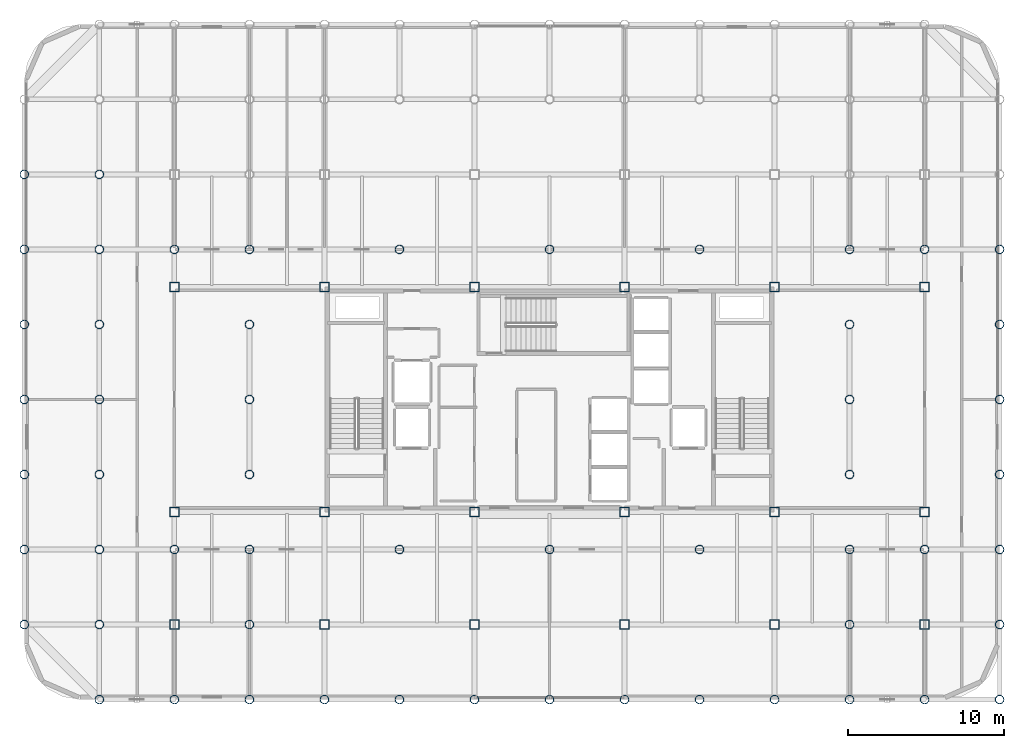
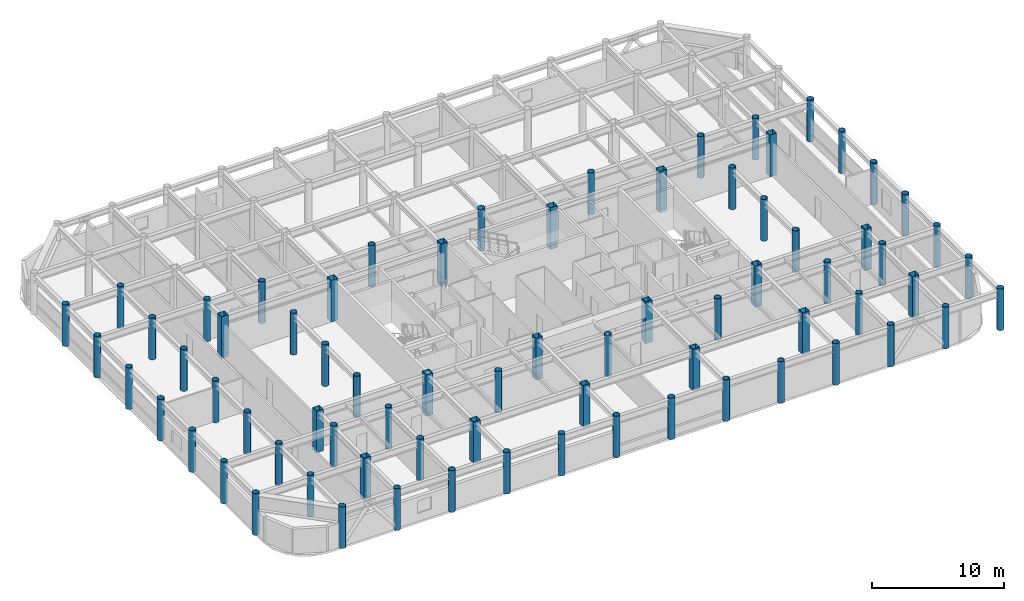
# One storey, part 1 of 21: 73 columns.
"""IFC4 building model written with IfcOpenShell, lengths in metres."""

from ifc_helpers import new_model, si_unit, direction, frame, origin, origin_2d, place, context, subcontext, project, spatial, hollow_rectangle, hollow_circle, extrude, material, material_profile, profile_set, type_object, element, save


model = new_model("IFC4")

# Units and contexts
model_context = context("Model", 3, precision=1e-05, world=origin(), true_north=direction((0.0, 1.0)))
body_context = subcontext(model_context, "Body", "Model", "MODEL_VIEW")
ifc_project = project(units=[si_unit("LENGTHUNIT", "METRE"), si_unit("AREAUNIT", "SQUARE_METRE"), si_unit("VOLUMEUNIT", "CUBIC_METRE"), si_unit("PLANEANGLEUNIT", "RADIAN"), si_unit("MASSUNIT", "GRAM", prefix="KILO")], contexts=[model_context])

# Site, building, storey
site_placement = place(None, origin())
site = spatial("IfcSite", under=ifc_project, at=site_placement, CompositionType="ELEMENT")
building_placement = place(site_placement, origin())
building = spatial("IfcBuilding", under=site, at=building_placement, Name="Kallvorn Hotel Tower", CompositionType="ELEMENT")
storey_placement = place(building_placement, frame((0.0, 0.0, 268.5)))
storey = spatial("IfcBuildingStorey", under=building, at=storey_placement, Name="L67", CompositionType="ELEMENT", Elevation=268.5)

# Columns
ifc_material_1 = material(Name="Structural steel S355J2H", Category="steel")
ifc_material_profile_1 = material_profile(ifc_material_1, hollow_circle(Radius=0.279541015625, WallThickness=0.02490234375, at=origin_2d()), Name="CHS 559x25")
ifc_profile_set_1 = profile_set([ifc_material_profile_1], Name="Structural steel S355J2H")
column_type_1 = type_object("IfcColumnType", Name="COL_CHS_559", PredefinedType="COLUMN", material=ifc_profile_set_1)
for number, where, z_axis, x_axis, name in (
    (1, (-33.60009765625, -14.39990234375, 0.0), (0.0, 0.0, 1.0), (1.0, 0.0, 0.0), "L67 Exoskeleton Column EC01"),
    (2, (-33.60009765625, -9.60009765625, 0.0), (0.0, 0.0, 1.0), (1.0, 0.0, 0.0), "L67 Exoskeleton Column EC02"),
    (3, (-33.60009765625, -4.800048828125, 0.0), (0.0, 0.0, 1.0), (1.0, 0.0, 0.0), "L67 Exoskeleton Column EC03"),
    (4, (-33.60009765625, 0.0, 0.0), (0.0, 0.0, 1.0), (1.0, 0.0, 0.0), "L67 Exoskeleton Column EC04"),
    (5, (-33.60009765625, 4.800048828125, 0.0), (0.0, 0.0, 1.0), (1.0, 0.0, 0.0), "L67 Exoskeleton Column EC05"),
    (6, (-33.60009765625, 9.60009765625, 0.0), (0.0, 0.0, 1.0), (1.0, 0.0, 0.0), "L67 Exoskeleton Column EC06"),
    (7, (-33.60009765625, 14.39990234375, 0.0), (0.0, 0.0, 1.0), (1.0, 0.0, 0.0), "L67 Exoskeleton Column EC07"),
    (8, (-28.800048828125, -19.199951171875, 0.0), (0.0, 0.0, 1.0), (1.0, 0.0, 0.0), "L67 Exoskeleton Column EC09"),
    (9, (-28.800048828125, -14.39990234375, 0.0), (0.0, 0.0, 1.0), (1.0, 0.0, 0.0), "L67 Exoskeleton Column EC10"),
    (10, (-28.800048828125, -9.60009765625, 0.0), (0.0, 0.0, 1.0), (1.0, 0.0, 0.0), "L67 Exoskeleton Column EC11"),
    (11, (-28.800048828125, -4.800048828125, 0.0), (0.0, 0.0, 1.0), (1.0, 0.0, 0.0), "L67 Exoskeleton Column EC12"),
    (12, (-28.800048828125, 0.0, 0.0), (0.0, 0.0, 1.0), (1.0, 0.0, 0.0), "L67 Exoskeleton Column EC13"),
    (13, (-28.800048828125, 4.800048828125, 0.0), (0.0, 0.0, 1.0), (1.0, 0.0, 0.0), "L67 Exoskeleton Column EC14"),
    (14, (-28.800048828125, 9.60009765625, 0.0), (0.0, 0.0, 1.0), (1.0, 0.0, 0.0), "L67 Exoskeleton Column EC15"),
    (15, (-28.800048828125, 14.39990234375, 0.0), (0.0, 0.0, 1.0), (1.0, 0.0, 0.0), "L67 Exoskeleton Column EC16"),
    (16, (-24.0, -19.199951171875, 0.0), (0.0, 0.0, 1.0), (1.0, 0.0, 0.0), "L67 Exoskeleton Column EC19"),
    (17, (-24.0, -9.60009765625, 0.0), (0.0, 0.0, 1.0), (1.0, 0.0, 0.0), "L67 Exoskeleton Column EC20"),
    (18, (-24.0, 9.60009765625, 0.0), (0.0, 0.0, 1.0), (1.0, 0.0, 0.0), "L67 Exoskeleton Column EC21"),
    (19, (-19.199951171875, -19.199951171875, 0.0), (0.0, 0.0, 1.0), (1.0, 0.0, 0.0), "L67 Exoskeleton Column EC24"),
    (20, (-19.199951171875, -14.39990234375, 0.0), (0.0, 0.0, 1.0), (1.0, 0.0, 0.0), "L67 Exoskeleton Column EC25"),
    (21, (-19.199951171875, -9.60009765625, 0.0), (0.0, 0.0, 1.0), (1.0, 0.0, 0.0), "L67 Exoskeleton Column EC26"),
    (22, (-19.199951171875, -4.800048828125, 0.0), (0.0, 0.0, 1.0), (1.0, 0.0, 0.0), "L67 Exoskeleton Column EC27"),
    (23, (-19.199951171875, 0.0, 0.0), (0.0, 0.0, 1.0), (1.0, 0.0, 0.0), "L67 Exoskeleton Column EC28"),
    (24, (-19.199951171875, 4.800048828125, 0.0), (0.0, 0.0, 1.0), (1.0, 0.0, 0.0), "L67 Exoskeleton Column EC29"),
    (25, (-19.199951171875, 9.60009765625, 0.0), (0.0, 0.0, 1.0), (1.0, 0.0, 0.0), "L67 Exoskeleton Column EC30"),
    (26, (-14.39990234375, -19.199951171875, 0.0), (0.0, 0.0, 1.0), (1.0, 0.0, 0.0), "L67 Exoskeleton Column EC34"),
    (27, (-9.60009765625, -19.199951171875, 0.0), (0.0, 0.0, 1.0), (1.0, 0.0, 0.0), "L67 Exoskeleton Column EC37"),
    (28, (-9.60009765625, -9.60009765625, 0.0), (0.0, 0.0, 1.0), (1.0, 0.0, 0.0), "L67 Exoskeleton Column EC38"),
    (29, (-9.60009765625, 9.60009765625, 0.0), (0.0, 0.0, 1.0), (1.0, 0.0, 0.0), "L67 Exoskeleton Column EC39"),
    (30, (-4.800048828125, -19.199951171875, 0.0), (0.0, 0.0, 1.0), (1.0, 0.0, 0.0), "L67 Exoskeleton Column EC42"),
    (31, (0.0, -19.199951171875, 0.0), (0.0, 0.0, 1.0), (1.0, 0.0, 0.0), "L67 Exoskeleton Column EC45"),
    (32, (0.0, -9.60009765625, 0.0), (0.0, 0.0, 1.0), (1.0, 0.0, 0.0), "L67 Exoskeleton Column EC46"),
    (33, (0.0, 9.60009765625, 0.0), (0.0, 0.0, 1.0), (1.0, 0.0, 0.0), "L67 Exoskeleton Column EC47"),
    (34, (4.800048828125, -19.199951171875, 0.0), (0.0, 0.0, 1.0), (1.0, 0.0, 0.0), "L67 Exoskeleton Column EC50"),
    (35, (9.60009765625, -19.199951171875, 0.0), (0.0, 0.0, 1.0), (1.0, 0.0, 0.0), "L67 Exoskeleton Column EC53"),
    (36, (9.60009765625, -9.60009765625, 0.0), (0.0, 0.0, 1.0), (1.0, 0.0, 0.0), "L67 Exoskeleton Column EC54"),
    (37, (9.60009765625, 9.60009765625, 0.0), (0.0, 0.0, 1.0), (1.0, 0.0, 0.0), "L67 Exoskeleton Column EC55"),
    (38, (14.39990234375, -19.199951171875, 0.0), (0.0, 0.0, 1.0), (1.0, 0.0, 0.0), "L67 Exoskeleton Column EC58"),
    (39, (19.199951171875, -19.199951171875, 0.0), (0.0, 0.0, 1.0), (1.0, 0.0, 0.0), "L67 Exoskeleton Column EC61"),
    (40, (19.199951171875, -14.39990234375, 0.0), (0.0, 0.0, 1.0), (1.0, 0.0, 0.0), "L67 Exoskeleton Column EC62"),
    (41, (19.199951171875, -9.60009765625, 0.0), (0.0, 0.0, 1.0), (1.0, 0.0, 0.0), "L67 Exoskeleton Column EC63"),
    (42, (19.199951171875, -4.800048828125, 0.0), (0.0, 0.0, 1.0), (1.0, 0.0, 0.0), "L67 Exoskeleton Column EC64"),
    (43, (19.199951171875, 0.0, 0.0), (0.0, 0.0, 1.0), (1.0, 0.0, 0.0), "L67 Exoskeleton Column EC65"),
    (44, (19.199951171875, 4.800048828125, 0.0), (0.0, 0.0, 1.0), (1.0, 0.0, 0.0), "L67 Exoskeleton Column EC66"),
    (45, (19.199951171875, 9.60009765625, 0.0), (0.0, 0.0, 1.0), (1.0, 0.0, 0.0), "L67 Exoskeleton Column EC67"),
    (46, (24.0, -19.199951171875, 0.0), (0.0, 0.0, 1.0), (1.0, 0.0, 0.0), "L67 Exoskeleton Column EC71"),
    (47, (24.0, -9.60009765625, 0.0), (0.0, 0.0, 1.0), (1.0, 0.0, 0.0), "L67 Exoskeleton Column EC72"),
    (48, (24.0, 9.60009765625, 0.0), (0.0, 0.0, 1.0), (1.0, 0.0, 0.0), "L67 Exoskeleton Column EC73"),
    (49, (28.800048828125, -19.199951171875, 0.0), (0.0, 0.0, 1.0), (1.0, 0.0, 0.0), "L67 Exoskeleton Column EC76"),
    (50, (28.800048828125, -14.39990234375, 0.0), (0.0, 0.0, 1.0), (1.0, 0.0, 0.0), "L67 Exoskeleton Column EC77"),
    (51, (28.800048828125, -9.60009765625, 0.0), (0.0, 0.0, 1.0), (1.0, 0.0, 0.0), "L67 Exoskeleton Column EC78"),
    (52, (28.800048828125, -4.800048828125, 0.0), (0.0, 0.0, 1.0), (1.0, 0.0, 0.0), "L67 Exoskeleton Column EC79"),
    (53, (28.800048828125, 0.0, 0.0), (0.0, 0.0, 1.0), (1.0, 0.0, 0.0), "L67 Exoskeleton Column EC80"),
    (54, (28.800048828125, 4.800048828125, 0.0), (0.0, 0.0, 1.0), (1.0, 0.0, 0.0), "L67 Exoskeleton Column EC81"),
    (55, (28.800048828125, 9.60009765625, 0.0), (0.0, 0.0, 1.0), (1.0, 0.0, 0.0), "L67 Exoskeleton Column EC82"),
):
    element("IfcColumn", number, at=place(storey_placement, frame(where, z_axis=z_axis, x_axis=x_axis)), inside=storey, type_object=column_type_1, Name=name, PredefinedType="COLUMN", context=body_context, shape_type="SweptSolid", body=[
        extrude(hollow_circle(Radius=0.279541015625, WallThickness=0.02490234375, at=origin_2d()), origin(), (0.0, 0.0, 1.0), 3.85009765625),
    ])
ifc_material_2 = material(Name="Structural steel S355J2H", Category="steel")
ifc_material_profile_2 = material_profile(ifc_material_2, hollow_rectangle(XDim=0.60009765625, YDim=0.60009765625, WallThickness=0.028076171875, at=origin_2d()), Name="RHS 600x600x28")
ifc_profile_set_2 = profile_set([ifc_material_profile_2], Name="Structural steel S355J2H")
column_type_2 = type_object("IfcColumnType", Name="COL_RHS_600", PredefinedType="COLUMN", material=ifc_profile_set_2)
for number, where, z_axis, x_axis, name in (
    (56, (-24.0, -14.39990234375, 0.0), (0.0, 0.0, 1.0), (1.0, 0.0, 0.0), "L67 Inner Column IC01"),
    (57, (-24.0, -7.199951171875, 0.0), (0.0, 0.0, 1.0), (1.0, 0.0, 0.0), "L67 Inner Column IC02"),
    (58, (-24.0, 7.199951171875, 0.0), (0.0, 0.0, 1.0), (1.0, 0.0, 0.0), "L67 Inner Column IC03"),
    (59, (-14.39990234375, -14.39990234375, 0.0), (0.0, 0.0, 1.0), (1.0, 0.0, 0.0), "L67 Inner Column IC05"),
    (60, (-14.39990234375, -7.199951171875, 0.0), (0.0, 0.0, 1.0), (1.0, 0.0, 0.0), "L67 Inner Column IC06"),
    (61, (-14.39990234375, 7.199951171875, 0.0), (0.0, 0.0, 1.0), (1.0, 0.0, 0.0), "L67 Inner Column IC07"),
    (62, (-4.800048828125, -14.39990234375, 0.0), (0.0, 0.0, 1.0), (1.0, 0.0, 0.0), "L67 Inner Column IC09"),
    (63, (-4.800048828125, -7.199951171875, 0.0), (0.0, 0.0, 1.0), (1.0, 0.0, 0.0), "L67 Inner Column IC10"),
    (64, (-4.800048828125, 7.199951171875, 0.0), (0.0, 0.0, 1.0), (1.0, 0.0, 0.0), "L67 Inner Column IC11"),
    (65, (4.800048828125, -14.39990234375, 0.0), (0.0, 0.0, 1.0), (1.0, 0.0, 0.0), "L67 Inner Column IC13"),
    (66, (4.800048828125, -7.199951171875, 0.0), (0.0, 0.0, 1.0), (1.0, 0.0, 0.0), "L67 Inner Column IC14"),
    (67, (4.800048828125, 7.199951171875, 0.0), (0.0, 0.0, 1.0), (1.0, 0.0, 0.0), "L67 Inner Column IC15"),
    (68, (14.39990234375, -14.39990234375, 0.0), (0.0, 0.0, 1.0), (1.0, 0.0, 0.0), "L67 Inner Column IC17"),
    (69, (14.39990234375, -7.199951171875, 0.0), (0.0, 0.0, 1.0), (1.0, 0.0, 0.0), "L67 Inner Column IC18"),
    (70, (14.39990234375, 7.199951171875, 0.0), (0.0, 0.0, 1.0), (1.0, 0.0, 0.0), "L67 Inner Column IC19"),
    (71, (24.0, -14.39990234375, 0.0), (0.0, 0.0, 1.0), (1.0, 0.0, 0.0), "L67 Inner Column IC21"),
    (72, (24.0, -7.199951171875, 0.0), (0.0, 0.0, 1.0), (1.0, 0.0, 0.0), "L67 Inner Column IC22"),
    (73, (24.0, 7.199951171875, 0.0), (0.0, 0.0, 1.0), (1.0, 0.0, 0.0), "L67 Inner Column IC23"),
):
    element("IfcColumn", number, at=place(storey_placement, frame(where, z_axis=z_axis, x_axis=x_axis)), inside=storey, type_object=column_type_2, Name=name, PredefinedType="COLUMN", context=body_context, shape_type="SweptSolid", body=[
        extrude(hollow_rectangle(XDim=0.60009765625, YDim=0.60009765625, WallThickness=0.028076171875, at=origin_2d()), origin(), (0.0, 0.0, 1.0), 3.85009765625),
    ])

save(model, "model.ifc")
